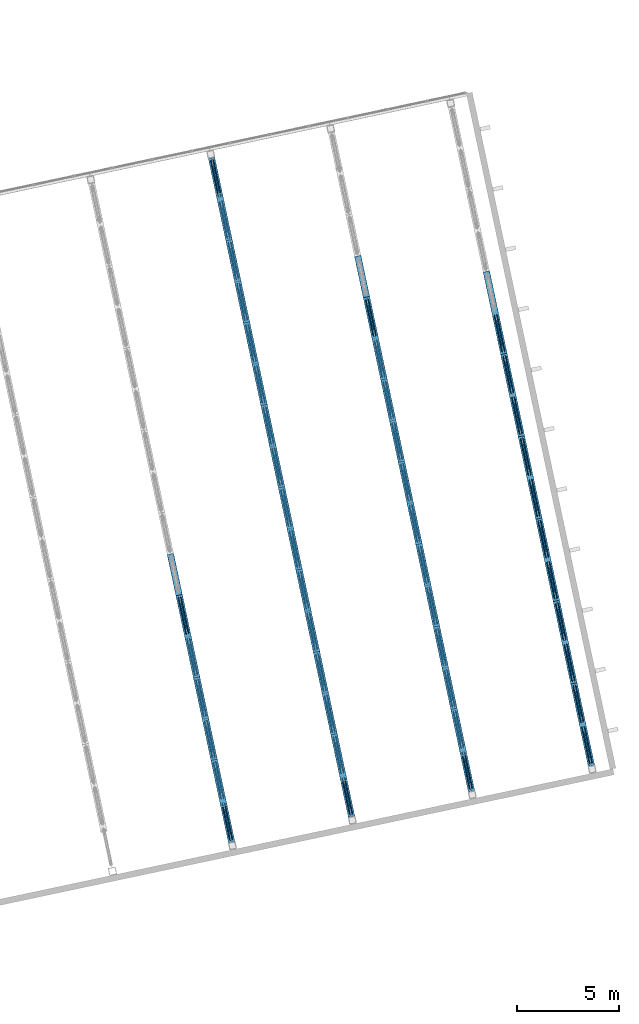
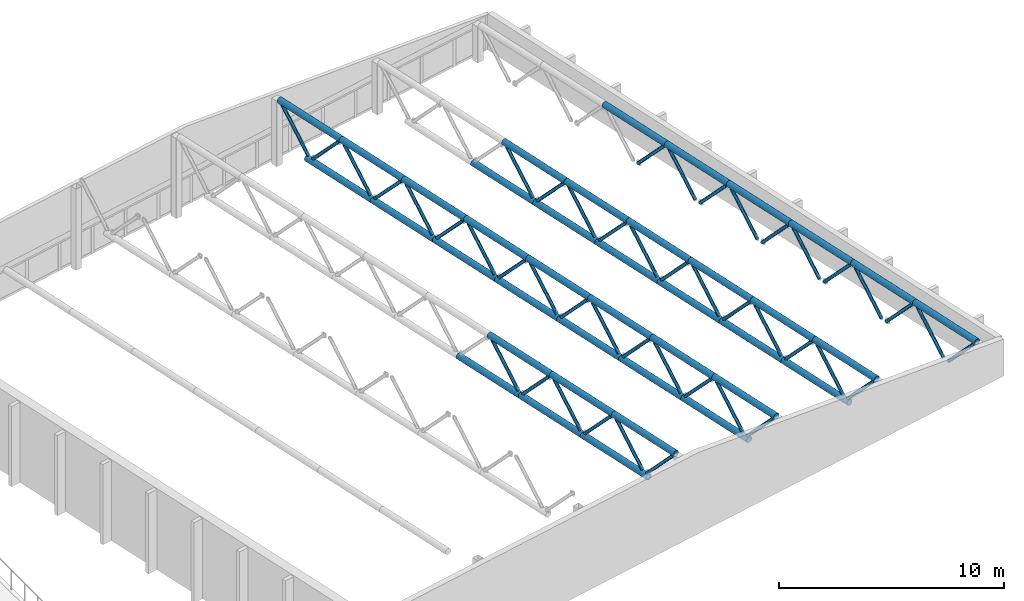
# One storey, part 23 of 58: 84 members.
"""IFC4 building model written with IfcOpenShell, lengths in metres."""

from ifc_helpers import new_model, si_unit, direction, frame, origin, origin_2d, place, context, subcontext, project, spatial, hollow_circle, extrude, material, material_profile, profile_set, type_object, element, save


model = new_model("IFC4")

# Units and contexts
model_context = context("Model", 3, precision=1e-05, world=origin(), true_north=direction((0.0, 1.0)))
body_context = subcontext(model_context, "Body", "Model", "MODEL_VIEW")
ifc_project = project(units=[si_unit("LENGTHUNIT", "METRE"), si_unit("AREAUNIT", "SQUARE_METRE"), si_unit("VOLUMEUNIT", "CUBIC_METRE"), si_unit("PLANEANGLEUNIT", "RADIAN"), si_unit("MASSUNIT", "GRAM", prefix="KILO")], contexts=[model_context])

# Site, building, storey
site_placement = place(None, origin())
site = spatial("IfcSite", under=ifc_project, at=site_placement, CompositionType="ELEMENT")
building_placement = place(site_placement, origin())
building = spatial("IfcBuilding", under=site, at=building_placement, Name="Windward Yard Aquatics Centre", CompositionType="ELEMENT")
storey_placement = place(building_placement, frame((0.0, 0.0, 13.800048828125)))
storey = spatial("IfcBuildingStorey", under=building, at=storey_placement, Name="L03", CompositionType="ELEMENT", Elevation=13.800048828125)

# Members
ifc_material = material(Name="Steel ASTM A500 Gr C", Category="steel")
ifc_material_profile_1 = material_profile(ifc_material, hollow_circle(Radius=0.161865234375, WallThickness=0.0126953125, at=origin_2d()), Name="HSS323.9X12.7")
ifc_profile_set_1 = profile_set([ifc_material_profile_1], Name="Steel ASTM A500 Gr C")
member_type_1 = type_object("IfcMemberType", Name="D bottom chord HSS323.9X12.7", PredefinedType="CHORD", material=ifc_profile_set_1)
member_1_placement = place(storey_placement, frame((181.05029296875, 47.64892578125, 2.13623046875), z_axis=(-0.207865436968, 0.97815743115, 0.0), x_axis=(-0.97815743115, -0.207865436968, 0.0)))
element("IfcMember", 1, at=member_1_placement, inside=storey, type_object=member_type_1, Name="D.M.TR4.BC1", PredefinedType="CHORD", context=body_context, shape_type="SweptSolid", body=[
    extrude(hollow_circle(Radius=0.161865234375, WallThickness=0.0126953125, at=origin_2d()), origin(), (0.0, 0.0, 1.0), 4.370361328125),
])
for number, where, z_axis, x_axis, name in (
    (2, (180.141845703125, 51.923828125, 2.13623046875), (-0.207906233063, 0.978148760799, 0.0), (-0.978148760799, -0.207906233063, 0.0), "D.M.TR4.BC2"),
    (3, (179.28515625, 55.954345703125, 2.13623046875), (-0.207906233063, 0.978148760799, 0.0), (-0.978148760799, -0.207906233063, 0.0), "D.M.TR4.BC3"),
):
    element("IfcMember", number, at=place(storey_placement, frame(where, z_axis=z_axis, x_axis=x_axis)), inside=storey, type_object=member_type_1, Name=name, PredefinedType="CHORD", context=body_context, shape_type="SweptSolid", body=[
        extrude(hollow_circle(Radius=0.161865234375, WallThickness=0.0126953125, at=origin_2d()), origin(), (0.0, 0.0, 1.0), 4.12060546875),
    ])
member_2_placement = place(storey_placement, frame((186.919189453125, 48.896240234375, 1.3466796875), z_axis=(-0.207907524746, 0.97814848625, 0.0), x_axis=(-0.97814848625, -0.207907524746, 0.0)))
element("IfcMember", 4, at=member_2_placement, inside=storey, type_object=member_type_1, Name="D.M.TR5.BC1", PredefinedType="CHORD", context=body_context, shape_type="SweptSolid", body=[
    extrude(hollow_circle(Radius=0.161865234375, WallThickness=0.0126953125, at=origin_2d()), origin(), (0.0, 0.0, 1.0), 4.37060546875),
])
member_3_placement = place(storey_placement, frame((186.010498046875, 53.17138671875, 1.3466796875), z_axis=(-0.207906233063, 0.978148760799, 0.0), x_axis=(-0.978148760799, -0.207906233063, 0.0)))
element("IfcMember", 5, at=member_3_placement, inside=storey, type_object=member_type_1, Name="D.M.TR5.BC2", PredefinedType="CHORD", context=body_context, shape_type="SweptSolid", body=[
    extrude(hollow_circle(Radius=0.161865234375, WallThickness=0.0126953125, at=origin_2d()), origin(), (0.0, 0.0, 1.0), 4.12060546875),
])
member_4_placement = place(storey_placement, frame((185.15380859375, 57.201904296875, 1.3466796875), z_axis=(-0.2079182829, 0.97814619952, 0.0), x_axis=(-0.97814619952, -0.2079182829, 0.0)))
element("IfcMember", 6, at=member_4_placement, inside=storey, type_object=member_type_1, Name="D.M.TR5.BC3", PredefinedType="CHORD", context=body_context, shape_type="SweptSolid", body=[
    extrude(hollow_circle(Radius=0.161865234375, WallThickness=0.0126953125, at=origin_2d()), origin(), (0.0, 0.0, 1.0), 4.120361328125),
])
for number, where, z_axis, x_axis, name in (
    (7, (184.297119140625, 61.232177734375, 1.3466796875), (-0.207906233063, 0.978148760799, 0.0), (-0.978148760799, -0.207906233063, 0.0), "D.M.TR5.BC4"),
    (8, (183.4404296875, 65.2626953125, 1.3466796875), (-0.207906233063, 0.978148760799, 0.0), (-0.978148760799, -0.207906233063, 0.0), "D.M.TR5.BC5"),
):
    element("IfcMember", number, at=place(storey_placement, frame(where, z_axis=z_axis, x_axis=x_axis)), inside=storey, type_object=member_type_1, Name=name, PredefinedType="CHORD", context=body_context, shape_type="SweptSolid", body=[
        extrude(hollow_circle(Radius=0.161865234375, WallThickness=0.0126953125, at=origin_2d()), origin(), (0.0, 0.0, 1.0), 4.12060546875),
    ])
member_5_placement = place(storey_placement, frame((182.583740234375, 69.293212890625, 1.3466796875), z_axis=(-0.2079182829, 0.97814619952, 0.0), x_axis=(-0.97814619952, -0.2079182829, 0.0)))
element("IfcMember", 9, at=member_5_placement, inside=storey, type_object=member_type_1, Name="D.M.TR5.BC6", PredefinedType="CHORD", context=body_context, shape_type="SweptSolid", body=[
    extrude(hollow_circle(Radius=0.161865234375, WallThickness=0.0126953125, at=origin_2d()), origin(), (0.0, 0.0, 1.0), 4.120361328125),
])
member_6_placement = place(storey_placement, frame((181.72705078125, 73.323486328125, 1.3466796875), z_axis=(-0.207854079266, 0.978159844674, 0.0), x_axis=(-0.978159844674, -0.207854079266, 0.0)))
element("IfcMember", 10, at=member_6_placement, inside=storey, type_object=member_type_1, Name="D.M.TR5.BC7", PredefinedType="CHORD", context=body_context, shape_type="SweptSolid", body=[
    extrude(hollow_circle(Radius=0.161865234375, WallThickness=0.0126953125, at=origin_2d()), origin(), (0.0, 0.0, 1.0), 4.37060546875),
])
member_7_placement = place(storey_placement, frame((192.7880859375, 50.143798828125, 0.557373046875), z_axis=(-0.207918885104, 0.978146071513, 0.0), x_axis=(-0.978146071513, -0.207918885104, 0.0)))
element("IfcMember", 11, at=member_7_placement, inside=storey, type_object=member_type_1, Name="D.M.TR6.BC1", PredefinedType="CHORD", context=body_context, shape_type="SweptSolid", body=[
    extrude(hollow_circle(Radius=0.161865234375, WallThickness=0.0126953125, at=origin_2d()), origin(), (0.0, 0.0, 1.0), 4.370361328125),
])
for number, where, z_axis, x_axis, name in (
    (12, (191.87939453125, 54.418701171875, 0.557373046875), (-0.207906233063, 0.978148760799, 0.0), (-0.978148760799, -0.207906233063, 0.0), "D.M.TR6.BC2"),
    (13, (191.022705078125, 58.44921875, 0.557373046875), (-0.207906233063, 0.978148760799, 0.0), (-0.978148760799, -0.207906233063, 0.0), "D.M.TR6.BC3"),
    (14, (190.166015625, 62.479736328125, 0.557373046875), (-0.207906233063, 0.978148760799, 0.0), (-0.978148760799, -0.207906233063, 0.0), "D.M.TR6.BC4"),
):
    element("IfcMember", number, at=place(storey_placement, frame(where, z_axis=z_axis, x_axis=x_axis)), inside=storey, type_object=member_type_1, Name=name, PredefinedType="CHORD", context=body_context, shape_type="SweptSolid", body=[
        extrude(hollow_circle(Radius=0.161865234375, WallThickness=0.0126953125, at=origin_2d()), origin(), (0.0, 0.0, 1.0), 4.12060546875),
    ])
member_8_placement = place(storey_placement, frame((189.309326171875, 66.51025390625, 0.557373046875), z_axis=(-0.2079182829, 0.97814619952, 0.0), x_axis=(-0.97814619952, -0.2079182829, 0.0)))
element("IfcMember", 15, at=member_8_placement, inside=storey, type_object=member_type_1, Name="D.M.TR6.BC5", PredefinedType="CHORD", context=body_context, shape_type="SweptSolid", body=[
    extrude(hollow_circle(Radius=0.161865234375, WallThickness=0.0126953125, at=origin_2d()), origin(), (0.0, 0.0, 1.0), 4.120361328125),
])
member_9_placement = place(storey_placement, frame((188.45263671875, 70.54052734375, 0.557373046875), z_axis=(-0.207906233063, 0.978148760799, 0.0), x_axis=(-0.978148760799, -0.207906233063, 0.0)))
element("IfcMember", 16, at=member_9_placement, inside=storey, type_object=member_type_1, Name="D.M.TR6.BC6", PredefinedType="CHORD", context=body_context, shape_type="SweptSolid", body=[
    extrude(hollow_circle(Radius=0.161865234375, WallThickness=0.0126953125, at=origin_2d()), origin(), (0.0, 0.0, 1.0), 4.12060546875),
])
ifc_material_profile_2 = material_profile(ifc_material, hollow_circle(Radius=0.161865234375, WallThickness=0.0126953125, at=origin_2d()), Name="HSS323.9X12.7")
ifc_profile_set_2 = profile_set([ifc_material_profile_2], Name="Steel ASTM A500 Gr C")
member_type_2 = type_object("IfcMemberType", Name="D top chord HSS323.9X12.7", PredefinedType="CHORD", material=ifc_profile_set_2)
for number, where, z_axis, x_axis, name in (
    (17, (181.4267578125, 45.878173828125, 4.336181640625), (-0.207906233063, 0.978148760799, 0.0), (-0.978148760799, -0.207906233063, 0.0), "D.M.TR4.TC1"),
    (18, (180.570068359375, 49.90869140625, 4.336181640625), (-0.207906233063, 0.978148760799, 0.0), (-0.978148760799, -0.207906233063, 0.0), "D.M.TR4.TC2"),
):
    element("IfcMember", number, at=place(storey_placement, frame(where, z_axis=z_axis, x_axis=x_axis)), inside=storey, type_object=member_type_2, Name=name, PredefinedType="CHORD", context=body_context, shape_type="SweptSolid", body=[
        extrude(hollow_circle(Radius=0.161865234375, WallThickness=0.0126953125, at=origin_2d()), origin(), (0.0, 0.0, 1.0), 4.12060546875),
    ])
member_10_placement = place(storey_placement, frame((179.71337890625, 53.939208984375, 4.336181640625), z_axis=(-0.2079182829, 0.97814619952, 0.0), x_axis=(-0.97814619952, -0.2079182829, 0.0)))
element("IfcMember", 19, at=member_10_placement, inside=storey, type_object=member_type_2, Name="D.M.TR4.TC3", PredefinedType="CHORD", context=body_context, shape_type="SweptSolid", body=[
    extrude(hollow_circle(Radius=0.161865234375, WallThickness=0.0126953125, at=origin_2d()), origin(), (0.0, 0.0, 1.0), 4.120361328125),
])
for number, where, z_axis, x_axis, name in (
    (20, (187.295654296875, 47.12548828125, 3.546630859375), (-0.207906233063, 0.978148760799, 0.0), (-0.978148760799, -0.207906233063, 0.0), "D.M.TR5.TC1"),
    (21, (186.43896484375, 51.156005859375, 3.546630859375), (-0.207906233063, 0.978148760799, 0.0), (-0.978148760799, -0.207906233063, 0.0), "D.M.TR5.TC2"),
    (22, (185.582275390625, 55.1865234375, 3.546630859375), (-0.207906233063, 0.978148760799, 0.0), (-0.978148760799, -0.207906233063, 0.0), "D.M.TR5.TC3"),
    (23, (184.7255859375, 59.217041015625, 3.546630859375), (-0.207906233063, 0.978148760799, 0.0), (-0.978148760799, -0.207906233063, 0.0), "D.M.TR5.TC4"),
):
    element("IfcMember", number, at=place(storey_placement, frame(where, z_axis=z_axis, x_axis=x_axis)), inside=storey, type_object=member_type_2, Name=name, PredefinedType="CHORD", context=body_context, shape_type="SweptSolid", body=[
        extrude(hollow_circle(Radius=0.161865234375, WallThickness=0.0126953125, at=origin_2d()), origin(), (0.0, 0.0, 1.0), 4.12060546875),
    ])
member_11_placement = place(storey_placement, frame((183.868896484375, 63.24755859375, 3.546630859375), z_axis=(-0.2079182829, 0.97814619952, 0.0), x_axis=(-0.97814619952, -0.2079182829, 0.0)))
element("IfcMember", 24, at=member_11_placement, inside=storey, type_object=member_type_2, Name="D.M.TR5.TC5", PredefinedType="CHORD", context=body_context, shape_type="SweptSolid", body=[
    extrude(hollow_circle(Radius=0.161865234375, WallThickness=0.0126953125, at=origin_2d()), origin(), (0.0, 0.0, 1.0), 4.120361328125),
])
for number, where, z_axis, x_axis, name in (
    (25, (183.01220703125, 67.27783203125, 3.546630859375), (-0.207906233063, 0.978148760799, 0.0), (-0.978148760799, -0.207906233063, 0.0), "D.M.TR5.TC6"),
    (26, (182.155517578125, 71.308349609375, 3.546630859375), (-0.207906233063, 0.978148760799, 0.0), (-0.978148760799, -0.207906233063, 0.0), "D.M.TR5.TC7"),
    (27, (181.298828125, 75.3388671875, 3.546630859375), (-0.207906233063, 0.978148760799, 0.0), (-0.978148760799, -0.207906233063, 0.0), "D.M.TR5.TC8"),
    (28, (193.16455078125, 48.373046875, 2.75732421875), (-0.207906233063, 0.978148760799, 0.0), (-0.978148760799, -0.207906233063, 0.0), "D.M.TR6.TC1"),
    (29, (192.307861328125, 52.403564453125, 2.75732421875), (-0.207906233063, 0.978148760799, 0.0), (-0.978148760799, -0.207906233063, 0.0), "D.M.TR6.TC2"),
    (30, (191.451171875, 56.43408203125, 2.75732421875), (-0.207906233063, 0.978148760799, 0.0), (-0.978148760799, -0.207906233063, 0.0), "D.M.TR6.TC3"),
):
    element("IfcMember", number, at=place(storey_placement, frame(where, z_axis=z_axis, x_axis=x_axis)), inside=storey, type_object=member_type_2, Name=name, PredefinedType="CHORD", context=body_context, shape_type="SweptSolid", body=[
        extrude(hollow_circle(Radius=0.161865234375, WallThickness=0.0126953125, at=origin_2d()), origin(), (0.0, 0.0, 1.0), 4.12060546875),
    ])
member_12_placement = place(storey_placement, frame((190.594482421875, 60.464599609375, 2.75732421875), z_axis=(-0.2079182829, 0.97814619952, 0.0), x_axis=(-0.97814619952, -0.2079182829, 0.0)))
element("IfcMember", 31, at=member_12_placement, inside=storey, type_object=member_type_2, Name="D.M.TR6.TC4", PredefinedType="CHORD", context=body_context, shape_type="SweptSolid", body=[
    extrude(hollow_circle(Radius=0.161865234375, WallThickness=0.0126953125, at=origin_2d()), origin(), (0.0, 0.0, 1.0), 4.120361328125),
])
for number, where, z_axis, x_axis, name in (
    (32, (189.73779296875, 64.494873046875, 2.75732421875), (-0.207906233063, 0.978148760799, 0.0), (-0.978148760799, -0.207906233063, 0.0), "D.M.TR6.TC5"),
    (33, (188.881103515625, 68.525390625, 2.75732421875), (-0.207906233063, 0.978148760799, 0.0), (-0.978148760799, -0.207906233063, 0.0), "D.M.TR6.TC6"),
):
    element("IfcMember", number, at=place(storey_placement, frame(where, z_axis=z_axis, x_axis=x_axis)), inside=storey, type_object=member_type_2, Name=name, PredefinedType="CHORD", context=body_context, shape_type="SweptSolid", body=[
        extrude(hollow_circle(Radius=0.161865234375, WallThickness=0.0126953125, at=origin_2d()), origin(), (0.0, 0.0, 1.0), 4.12060546875),
    ])
member_13_placement = place(storey_placement, frame((199.033447265625, 49.62060546875, 1.9677734375), z_axis=(-0.2079182829, 0.97814619952, 0.0), x_axis=(-0.97814619952, -0.2079182829, 0.0)))
element("IfcMember", 34, at=member_13_placement, inside=storey, type_object=member_type_2, Name="D.M.TR7.TC1", PredefinedType="CHORD", context=body_context, shape_type="SweptSolid", body=[
    extrude(hollow_circle(Radius=0.161865234375, WallThickness=0.0126953125, at=origin_2d()), origin(), (0.0, 0.0, 1.0), 4.120361328125),
])
for number, where, z_axis, x_axis, name in (
    (35, (198.1767578125, 53.65087890625, 1.9677734375), (-0.207906233063, 0.978148760799, 0.0), (-0.978148760799, -0.207906233063, 0.0), "D.M.TR7.TC2"),
    (36, (197.320068359375, 57.681396484375, 1.9677734375), (-0.207906233063, 0.978148760799, 0.0), (-0.978148760799, -0.207906233063, 0.0), "D.M.TR7.TC3"),
    (37, (196.46337890625, 61.7119140625, 1.9677734375), (-0.207906233063, 0.978148760799, 0.0), (-0.978148760799, -0.207906233063, 0.0), "D.M.TR7.TC4"),
    (38, (195.606689453125, 65.742431640625, 1.9677734375), (-0.207906233063, 0.978148760799, 0.0), (-0.978148760799, -0.207906233063, 0.0), "D.M.TR7.TC5"),
):
    element("IfcMember", number, at=place(storey_placement, frame(where, z_axis=z_axis, x_axis=x_axis)), inside=storey, type_object=member_type_2, Name=name, PredefinedType="CHORD", context=body_context, shape_type="SweptSolid", body=[
        extrude(hollow_circle(Radius=0.161865234375, WallThickness=0.0126953125, at=origin_2d()), origin(), (0.0, 0.0, 1.0), 4.12060546875),
    ])
member_14_placement = place(storey_placement, frame((194.75, 69.77294921875, 1.9677734375), z_axis=(-0.2079182829, 0.97814619952, 0.0), x_axis=(-0.97814619952, -0.2079182829, 0.0)))
element("IfcMember", 39, at=member_14_placement, inside=storey, type_object=member_type_2, Name="D.M.TR7.TC6", PredefinedType="CHORD", context=body_context, shape_type="SweptSolid", body=[
    extrude(hollow_circle(Radius=0.161865234375, WallThickness=0.0126953125, at=origin_2d()), origin(), (0.0, 0.0, 1.0), 4.120361328125),
])
ifc_material_profile_3 = material_profile(ifc_material, hollow_circle(Radius=0.084228515625, WallThickness=0.010986328125, at=origin_2d()), Name="HSS168.3X11")
ifc_profile_set_3 = profile_set([ifc_material_profile_3], Name="Steel ASTM A500 Gr C")
member_type_3 = type_object("IfcMemberType", Name="D web HSS168.3X11", PredefinedType="BRACE", material=ifc_profile_set_3)
for number, where, z_axis, x_axis, name in (
    (40, (181.395263671875, 46.026611328125, 4.17431640625), (-0.142103284534, 0.668626350155, -0.729894143286), (-0.978152846624, -0.207887009312, 0.0), "D.M.TR4.D1"),
    (41, (180.6015625, 49.76025390625, 4.17431640625), (0.142103284534, -0.668626350155, -0.729894143286), (0.978152846624, 0.207887009312, 0.0), "D.M.TR4.D2"),
    (42, (180.53857421875, 50.056884765625, 4.17431640625), (-0.142103284534, 0.668626350155, -0.729894143286), (-0.978152846624, -0.207887009312, 0.0), "D.M.TR4.D3"),
    (43, (179.744873046875, 53.790771484375, 4.17431640625), (0.142103284534, -0.668626350155, -0.729894143286), (0.978152846624, 0.207887009312, 0.0), "D.M.TR4.D4"),
    (44, (179.681884765625, 54.08740234375, 4.17431640625), (-0.142103284534, 0.668626350155, -0.729894143286), (-0.978152846624, -0.207887009312, 0.0), "D.M.TR4.D5"),
):
    element("IfcMember", number, at=place(storey_placement, frame(where, z_axis=z_axis, x_axis=x_axis)), inside=storey, type_object=member_type_3, Name=name, PredefinedType="BRACE", context=body_context, shape_type="SweptSolid", body=[
        extrude(hollow_circle(Radius=0.084228515625, WallThickness=0.010986328125, at=origin_2d()), origin(), (0.0, 0.0, 1.0), 2.5703125),
    ])
member_15_placement = place(storey_placement, frame((178.88818359375, 57.821044921875, 4.17431640625), z_axis=(0.142112310021, -0.668573822143, -0.72994050147), x_axis=(0.978146839882, 0.207915270313, 0.0)))
element("IfcMember", 45, at=member_15_placement, inside=storey, type_object=member_type_3, Name="D.M.TR4.D6", PredefinedType="BRACE", context=body_context, shape_type="SweptSolid", body=[
    extrude(hollow_circle(Radius=0.084228515625, WallThickness=0.010986328125, at=origin_2d()), origin(), (0.0, 0.0, 1.0), 2.570068359375),
])
for number, where, z_axis, x_axis, name in (
    (46, (187.26416015625, 47.27392578125, 3.384765625), (-0.142103284534, 0.668626350155, -0.729894143286), (-0.978152846624, -0.207887009312, 0.0), "D.M.TR5.D1"),
    (47, (186.470458984375, 51.0078125, 3.384765625), (0.142103284534, -0.668626350155, -0.729894143286), (0.978152846624, 0.207887009312, 0.0), "D.M.TR5.D2"),
    (48, (186.407470703125, 51.304443359375, 3.384765625), (-0.142103284534, 0.668626350155, -0.729894143286), (-0.978152846624, -0.207887009312, 0.0), "D.M.TR5.D3"),
    (49, (185.61376953125, 55.0380859375, 3.384765625), (0.142103284534, -0.668626350155, -0.729894143286), (0.978152846624, 0.207887009312, 0.0), "D.M.TR5.D4"),
    (50, (185.55078125, 55.3349609375, 3.384765625), (-0.142103284534, 0.668626350155, -0.729894143286), (-0.978152846624, -0.207887009312, 0.0), "D.M.TR5.D5"),
    (51, (184.757080078125, 59.068603515625, 3.384765625), (0.142103284534, -0.668626350155, -0.729894143286), (0.978152846624, 0.207887009312, 0.0), "D.M.TR5.D6"),
):
    element("IfcMember", number, at=place(storey_placement, frame(where, z_axis=z_axis, x_axis=x_axis)), inside=storey, type_object=member_type_3, Name=name, PredefinedType="BRACE", context=body_context, shape_type="SweptSolid", body=[
        extrude(hollow_circle(Radius=0.084228515625, WallThickness=0.010986328125, at=origin_2d()), origin(), (0.0, 0.0, 1.0), 2.5703125),
    ])
member_16_placement = place(storey_placement, frame((184.694091796875, 59.365478515625, 3.384765625), z_axis=(-0.142112310021, 0.668573822143, -0.72994050147), x_axis=(-0.978146839882, -0.207915270313, 0.0)))
element("IfcMember", 52, at=member_16_placement, inside=storey, type_object=member_type_3, Name="D.M.TR5.D7", PredefinedType="BRACE", context=body_context, shape_type="SweptSolid", body=[
    extrude(hollow_circle(Radius=0.084228515625, WallThickness=0.010986328125, at=origin_2d()), origin(), (0.0, 0.0, 1.0), 2.570068359375),
])
member_17_placement = place(storey_placement, frame((183.900390625, 63.09912109375, 3.384765625), z_axis=(0.142103284534, -0.668626350155, -0.729894143286), x_axis=(0.978152846624, 0.207887009312, 0.0)))
element("IfcMember", 53, at=member_17_placement, inside=storey, type_object=member_type_3, Name="D.M.TR5.D8", PredefinedType="BRACE", context=body_context, shape_type="SweptSolid", body=[
    extrude(hollow_circle(Radius=0.084228515625, WallThickness=0.010986328125, at=origin_2d()), origin(), (0.0, 0.0, 1.0), 2.5703125),
])
for number, where, z_axis, x_axis, name in (
    (54, (183.83740234375, 63.39599609375, 3.384765625), (-0.142112310021, 0.668573822143, -0.72994050147), (-0.978146839882, -0.207915270313, 0.0), "D.M.TR5.D9"),
    (55, (183.043701171875, 67.12939453125, 3.384765625), (0.142112310021, -0.668573822143, -0.72994050147), (0.978146839882, 0.207915270313, 0.0), "D.M.TR5.D10"),
):
    element("IfcMember", number, at=place(storey_placement, frame(where, z_axis=z_axis, x_axis=x_axis)), inside=storey, type_object=member_type_3, Name=name, PredefinedType="BRACE", context=body_context, shape_type="SweptSolid", body=[
        extrude(hollow_circle(Radius=0.084228515625, WallThickness=0.010986328125, at=origin_2d()), origin(), (0.0, 0.0, 1.0), 2.570068359375),
    ])
member_18_placement = place(storey_placement, frame((182.980712890625, 67.42626953125, 3.384765625), z_axis=(-0.142103284534, 0.668626350155, -0.729894143286), x_axis=(-0.978152846624, -0.207887009312, 0.0)))
element("IfcMember", 56, at=member_18_placement, inside=storey, type_object=member_type_3, Name="D.M.TR5.D11", PredefinedType="BRACE", context=body_context, shape_type="SweptSolid", body=[
    extrude(hollow_circle(Radius=0.084228515625, WallThickness=0.010986328125, at=origin_2d()), origin(), (0.0, 0.0, 1.0), 2.5703125),
])
for number, where, z_axis, x_axis, name in (
    (57, (182.18701171875, 71.159912109375, 3.384765625), (0.142112310021, -0.668573822143, -0.72994050147), (0.978146839882, 0.207915270313, 0.0), "D.M.TR5.D12"),
    (58, (182.123779296875, 71.456787109375, 3.384765625), (-0.142010211965, 0.668635372589, -0.729903992467), (-0.97818109565, -0.207754047165, 0.0), "D.M.TR5.D13"),
):
    element("IfcMember", number, at=place(storey_placement, frame(where, z_axis=z_axis, x_axis=x_axis)), inside=storey, type_object=member_type_3, Name=name, PredefinedType="BRACE", context=body_context, shape_type="SweptSolid", body=[
        extrude(hollow_circle(Radius=0.084228515625, WallThickness=0.010986328125, at=origin_2d()), origin(), (0.0, 0.0, 1.0), 2.570068359375),
    ])
member_19_placement = place(storey_placement, frame((181.330322265625, 75.1904296875, 3.384765625), z_axis=(0.142103284534, -0.668626350155, -0.729894143286), x_axis=(0.978152846624, 0.207887009312, 0.0)))
element("IfcMember", 59, at=member_19_placement, inside=storey, type_object=member_type_3, Name="D.M.TR5.D14", PredefinedType="BRACE", context=body_context, shape_type="SweptSolid", body=[
    extrude(hollow_circle(Radius=0.084228515625, WallThickness=0.010986328125, at=origin_2d()), origin(), (0.0, 0.0, 1.0), 2.5703125),
])
member_20_placement = place(storey_placement, frame((181.26708984375, 75.4873046875, 3.384765625), z_axis=(-0.142010211965, 0.668635372589, -0.729903992467), x_axis=(-0.97818109565, -0.207754047165, 0.0)))
element("IfcMember", 60, at=member_20_placement, inside=storey, type_object=member_type_3, Name="D.M.TR5.D15", PredefinedType="BRACE", context=body_context, shape_type="SweptSolid", body=[
    extrude(hollow_circle(Radius=0.084228515625, WallThickness=0.010986328125, at=origin_2d()), origin(), (0.0, 0.0, 1.0), 2.570068359375),
])
for number, where, z_axis, x_axis, name in (
    (61, (180.4736328125, 79.220947265625, 3.384765625), (0.142103284534, -0.668626350155, -0.729894143286), (0.978152846624, 0.207887009312, 0.0), "D.M.TR5.D16"),
    (62, (193.133056640625, 48.521484375, 2.59521484375), (-0.142103284534, 0.668626350155, -0.729894143286), (-0.978152846624, -0.207887009312, 0.0), "D.M.TR6.D1"),
    (63, (192.33935546875, 52.255126953125, 2.59521484375), (0.142103284534, -0.668626350155, -0.729894143286), (0.978152846624, 0.207887009312, 0.0), "D.M.TR6.D2"),
    (64, (192.2763671875, 52.552001953125, 2.59521484375), (-0.142103284534, 0.668626350155, -0.729894143286), (-0.978152846624, -0.207887009312, 0.0), "D.M.TR6.D3"),
    (65, (191.482666015625, 56.28564453125, 2.59521484375), (0.142103284534, -0.668626350155, -0.729894143286), (0.978152846624, 0.207887009312, 0.0), "D.M.TR6.D4"),
):
    element("IfcMember", number, at=place(storey_placement, frame(where, z_axis=z_axis, x_axis=x_axis)), inside=storey, type_object=member_type_3, Name=name, PredefinedType="BRACE", context=body_context, shape_type="SweptSolid", body=[
        extrude(hollow_circle(Radius=0.084228515625, WallThickness=0.010986328125, at=origin_2d()), origin(), (0.0, 0.0, 1.0), 2.5703125),
    ])
member_21_placement = place(storey_placement, frame((191.419677734375, 56.58251953125, 2.59521484375), z_axis=(-0.142112310021, 0.668573822143, -0.72994050147), x_axis=(-0.978146839882, -0.207915270313, 0.0)))
element("IfcMember", 66, at=member_21_placement, inside=storey, type_object=member_type_3, Name="D.M.TR6.D5", PredefinedType="BRACE", context=body_context, shape_type="SweptSolid", body=[
    extrude(hollow_circle(Radius=0.084228515625, WallThickness=0.010986328125, at=origin_2d()), origin(), (0.0, 0.0, 1.0), 2.570068359375),
])
for number, where, z_axis, x_axis, name in (
    (67, (190.6259765625, 60.316162109375, 2.59521484375), (0.142103284534, -0.668626350155, -0.729894143286), (0.978152846624, 0.207887009312, 0.0), "D.M.TR6.D6"),
    (68, (190.56298828125, 60.61279296875, 2.59521484375), (-0.142103284534, 0.668626350155, -0.729894143286), (-0.978152846624, -0.207887009312, 0.0), "D.M.TR6.D7"),
):
    element("IfcMember", number, at=place(storey_placement, frame(where, z_axis=z_axis, x_axis=x_axis)), inside=storey, type_object=member_type_3, Name=name, PredefinedType="BRACE", context=body_context, shape_type="SweptSolid", body=[
        extrude(hollow_circle(Radius=0.084228515625, WallThickness=0.010986328125, at=origin_2d()), origin(), (0.0, 0.0, 1.0), 2.5703125),
    ])
member_22_placement = place(storey_placement, frame((189.769287109375, 64.346435546875, 2.59521484375), z_axis=(0.142112310021, -0.668573822143, -0.72994050147), x_axis=(0.978146839882, 0.207915270313, 0.0)))
element("IfcMember", 69, at=member_22_placement, inside=storey, type_object=member_type_3, Name="D.M.TR6.D8", PredefinedType="BRACE", context=body_context, shape_type="SweptSolid", body=[
    extrude(hollow_circle(Radius=0.084228515625, WallThickness=0.010986328125, at=origin_2d()), origin(), (0.0, 0.0, 1.0), 2.570068359375),
])
member_23_placement = place(storey_placement, frame((189.706298828125, 64.643310546875, 2.59521484375), z_axis=(-0.142103284534, 0.668626350155, -0.729894143286), x_axis=(-0.978152846624, -0.207887009312, 0.0)))
element("IfcMember", 70, at=member_23_placement, inside=storey, type_object=member_type_3, Name="D.M.TR6.D9", PredefinedType="BRACE", context=body_context, shape_type="SweptSolid", body=[
    extrude(hollow_circle(Radius=0.084228515625, WallThickness=0.010986328125, at=origin_2d()), origin(), (0.0, 0.0, 1.0), 2.5703125),
])
for number, where, z_axis, x_axis, name in (
    (71, (188.91259765625, 68.376953125, 2.59521484375), (0.142112310021, -0.668573822143, -0.72994050147), (0.978146839882, 0.207915270313, 0.0), "D.M.TR6.D10"),
    (72, (188.849609375, 68.673828125, 2.59521484375), (-0.142112310021, 0.668573822143, -0.72994050147), (-0.978146839882, -0.207915270313, 0.0), "D.M.TR6.D11"),
):
    element("IfcMember", number, at=place(storey_placement, frame(where, z_axis=z_axis, x_axis=x_axis)), inside=storey, type_object=member_type_3, Name=name, PredefinedType="BRACE", context=body_context, shape_type="SweptSolid", body=[
        extrude(hollow_circle(Radius=0.084228515625, WallThickness=0.010986328125, at=origin_2d()), origin(), (0.0, 0.0, 1.0), 2.570068359375),
    ])
member_24_placement = place(storey_placement, frame((188.055908203125, 72.407470703125, 2.59521484375), z_axis=(0.142103284534, -0.668626350155, -0.729894143286), x_axis=(0.978152846624, 0.207887009312, 0.0)))
element("IfcMember", 73, at=member_24_placement, inside=storey, type_object=member_type_3, Name="D.M.TR6.D12", PredefinedType="BRACE", context=body_context, shape_type="SweptSolid", body=[
    extrude(hollow_circle(Radius=0.084228515625, WallThickness=0.010986328125, at=origin_2d()), origin(), (0.0, 0.0, 1.0), 2.5703125),
])
member_25_placement = place(storey_placement, frame((199.001953125, 49.76904296875, 1.805908203125), z_axis=(-0.142112310021, 0.668573822143, -0.72994050147), x_axis=(-0.978146839882, -0.207915270313, 0.0)))
element("IfcMember", 74, at=member_25_placement, inside=storey, type_object=member_type_3, Name="D.M.TR7.D1", PredefinedType="BRACE", context=body_context, shape_type="SweptSolid", body=[
    extrude(hollow_circle(Radius=0.084228515625, WallThickness=0.010986328125, at=origin_2d()), origin(), (0.0, 0.0, 1.0), 2.570068359375),
])
for number, where, z_axis, x_axis, name in (
    (75, (198.208251953125, 53.502685546875, 1.805908203125), (0.142103284534, -0.668626350155, -0.729894143286), (0.978152846624, 0.207887009312, 0.0), "D.M.TR7.D2"),
    (76, (198.145263671875, 53.79931640625, 1.805908203125), (-0.142196353333, 0.668617322053, -0.729884287918), (-0.978124581159, -0.208019959937, 0.0), "D.M.TR7.D3"),
    (77, (197.3515625, 57.533203125, 1.805908203125), (0.142103284534, -0.668626350155, -0.729894143286), (0.978152846624, 0.207887009312, 0.0), "D.M.TR7.D4"),
    (78, (197.28857421875, 57.829833984375, 1.805908203125), (-0.142196353333, 0.668617322053, -0.729884287918), (-0.978124581159, -0.208019959937, 0.0), "D.M.TR7.D5"),
    (79, (196.494873046875, 61.563720703125, 1.805908203125), (0.142103284534, -0.668626350155, -0.729894143286), (0.978152846624, 0.207887009312, 0.0), "D.M.TR7.D6"),
    (80, (196.431884765625, 61.8603515625, 1.805908203125), (-0.142196353333, 0.668617322053, -0.729884287918), (-0.978124581159, -0.208019959937, 0.0), "D.M.TR7.D7"),
    (81, (195.63818359375, 65.593994140625, 1.805908203125), (0.142103284534, -0.668626350155, -0.729894143286), (0.978152846624, 0.207887009312, 0.0), "D.M.TR7.D8"),
):
    element("IfcMember", number, at=place(storey_placement, frame(where, z_axis=z_axis, x_axis=x_axis)), inside=storey, type_object=member_type_3, Name=name, PredefinedType="BRACE", context=body_context, shape_type="SweptSolid", body=[
        extrude(hollow_circle(Radius=0.084228515625, WallThickness=0.010986328125, at=origin_2d()), origin(), (0.0, 0.0, 1.0), 2.5703125),
    ])
member_26_placement = place(storey_placement, frame((195.5751953125, 65.890869140625, 1.805908203125), z_axis=(-0.142205384488, 0.668564793603, -0.729930644224), x_axis=(-0.978118566905, -0.208048237377, 0.0)))
element("IfcMember", 82, at=member_26_placement, inside=storey, type_object=member_type_3, Name="D.M.TR7.D9", PredefinedType="BRACE", context=body_context, shape_type="SweptSolid", body=[
    extrude(hollow_circle(Radius=0.084228515625, WallThickness=0.010986328125, at=origin_2d()), origin(), (0.0, 0.0, 1.0), 2.570068359375),
])
member_27_placement = place(storey_placement, frame((194.781494140625, 69.62451171875, 1.805908203125), z_axis=(0.142103284534, -0.668626350155, -0.729894143286), x_axis=(0.978152846624, 0.207887009312, 0.0)))
element("IfcMember", 83, at=member_27_placement, inside=storey, type_object=member_type_3, Name="D.M.TR7.D10", PredefinedType="BRACE", context=body_context, shape_type="SweptSolid", body=[
    extrude(hollow_circle(Radius=0.084228515625, WallThickness=0.010986328125, at=origin_2d()), origin(), (0.0, 0.0, 1.0), 2.5703125),
])
member_28_placement = place(storey_placement, frame((194.718505859375, 69.92138671875, 1.805908203125), z_axis=(-0.142205384488, 0.668564793603, -0.729930644224), x_axis=(-0.978118566905, -0.208048237377, 0.0)))
element("IfcMember", 84, at=member_28_placement, inside=storey, type_object=member_type_3, Name="D.M.TR7.D11", PredefinedType="BRACE", context=body_context, shape_type="SweptSolid", body=[
    extrude(hollow_circle(Radius=0.084228515625, WallThickness=0.010986328125, at=origin_2d()), origin(), (0.0, 0.0, 1.0), 2.570068359375),
])

save(model, "model.ifc")
